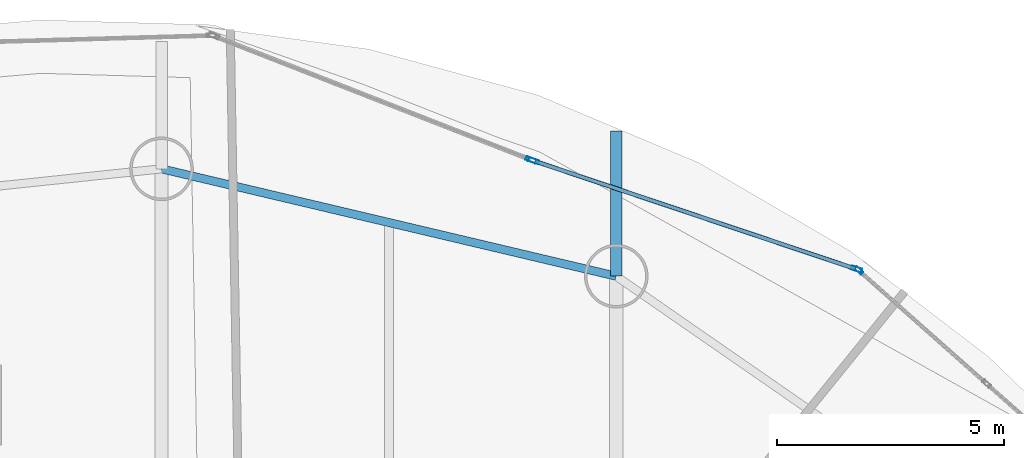
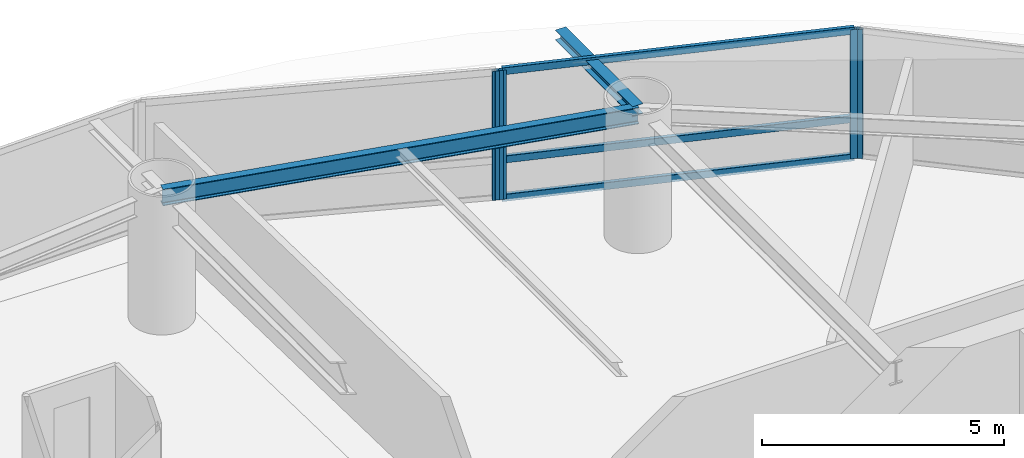
# One storey, part 12 of 20: 7 members, 2 beams, 3 elements without a shape of their own.
"""IFC4 building model written with IfcOpenShell, lengths in metres."""

from ifc_helpers import new_model, si_unit, direction, frame, origin, origin_2d, place, context, subcontext, project, spatial, hollow_rectangle, i_section, extrude, material, layer, layer_set, material_profile, profile_set, type_object, element, aggregate, save


model = new_model("IFC4")

# Units and contexts
model_context = context("Model", 3, precision=1e-05, world=origin(), true_north=direction((0.0, 1.0)))
body_context = subcontext(model_context, "Body", "Model", "MODEL_VIEW")
ifc_project = project(units=[si_unit("LENGTHUNIT", "METRE"), si_unit("AREAUNIT", "SQUARE_METRE"), si_unit("VOLUMEUNIT", "CUBIC_METRE"), si_unit("PLANEANGLEUNIT", "RADIAN"), si_unit("MASSUNIT", "GRAM", prefix="KILO")], contexts=[model_context])

# Site, building, storey
site_placement = place(None, origin())
site = spatial("IfcSite", under=ifc_project, at=site_placement, CompositionType="ELEMENT")
building_placement = place(site_placement, origin())
building = spatial("IfcBuilding", under=site, at=building_placement, Name="Bramvorn Convention Spire", CompositionType="ELEMENT")
storey_placement = place(building_placement, frame((0.0, 0.0, 113.300048828125)))
storey = spatial("IfcBuildingStorey", under=building, at=storey_placement, Name="L27", CompositionType="ELEMENT", Elevation=113.300048828125)

# Beams
ifc_material_1 = material(Name="Steel CSA G40.21 Grade 350 (350W)", Category="steel")
ifc_material_profile_1 = material_profile(ifc_material_1, i_section(OverallWidth=0.25390625, OverallDepth=0.2529296875, WebThickness=0.008544921875, FlangeThickness=0.01416015625, FilletRadius=0.011962890625, at=origin_2d()))
ifc_profile_set_1 = profile_set([ifc_material_profile_1], Name="Steel CSA G40.21 Grade 350 (350W) - W250X73")
beam_type_1 = type_object("IfcBeamType", Name="BM-W250X73", PredefinedType="BEAM", material=ifc_profile_set_1)
beam_1_placement = place(storey_placement, frame((46.082763671875, 44.154052734375, 3.133544921875), z_axis=(0.0, 1.0, 0.0), x_axis=(-1.0, 0.0, 0.0)))
element("IfcBeam", 1, at=beam_1_placement, inside=storey, type_object=beam_type_1, Name="L27 slab-edge cantilever tip beam MC05", PredefinedType="BEAM", context=body_context, shape_type="SweptSolid", body=[
    extrude(i_section(OverallWidth=0.25390625, OverallDepth=0.2529296875, WebThickness=0.008544921875, FlangeThickness=0.01416015625, FilletRadius=0.011962890625, at=origin_2d()), origin(), (0.0, 0.0, 1.0), 3.199951171875),
])
ifc_material_profile_2 = material_profile(ifc_material_1, i_section(OverallWidth=0.180908203125, OverallDepth=0.4169921875, WebThickness=0.010986328125, FlangeThickness=0.018310546875, FilletRadius=0.01611328125, at=origin_2d()))
ifc_profile_set_2 = profile_set([ifc_material_profile_2], Name="Steel CSA G40.21 Grade 350 (350W) - W410X85")
beam_type_2 = type_object("IfcBeamType", Name="BM-W410X85", PredefinedType="JOIST", material=ifc_profile_set_2)
beam_2_placement = place(storey_placement, frame((46.082763671875, 44.154052734375, 3.051513671875), z_axis=(-0.97322750491, 0.229843911572, 0.0), x_axis=(-0.229843911572, -0.97322750491, 0.0)))
element("IfcBeam", 2, at=beam_2_placement, inside=storey, type_object=beam_type_2, Name="L27 mega-column ring beam 05", PredefinedType="JOIST", context=body_context, shape_type="SweptSolid", body=[
    extrude(i_section(OverallWidth=0.180908203125, OverallDepth=0.4169921875, WebThickness=0.010986328125, FlangeThickness=0.018310546875, FilletRadius=0.01611328125, at=origin_2d()), origin(), (0.0, 0.0, 1.0), 10.2822265625),
])

# Curtain wall, member
ifc_material_2 = material(Name="Anodised Bronze Unitised Curtain Wall", Category="aluminium")
ifc_layer_1 = layer(ifc_material_2, 0.179931640625)
ifc_layer_set_1 = layer_set([ifc_layer_1], Name="Anodised Bronze Unitised Curtain Wall - CW-HTL-FRIT")
curtain_wall_type_1 = type_object("IfcCurtainWallType", Name="CW-HTL-FRIT", PredefinedType="USERDEFINED", material=ifc_layer_set_1)
curtain_wall_1_placement = place(storey_placement, origin())
curtain_wall_1 = element("IfcCurtainWall", 3, at=curtain_wall_1_placement, inside=storey, type_object=curtain_wall_type_1, Name="L27 fritted glass curtain wall 05", ObjectType="UNITISED CURTAIN WALL", PredefinedType="USERDEFINED")
ifc_material_3 = material(Name="Anodised Bronze Aluminium 6063-T6", Category="aluminium")
ifc_material_profile_3 = material_profile(ifc_material_3, hollow_rectangle(XDim=0.080078125, YDim=0.199951171875, WallThickness=0.00390625, InnerFilletRadius=0.0009765625, OuterFilletRadius=0.00390625, at=origin_2d()))
ifc_profile_set_3 = profile_set([ifc_material_profile_3], Name="Anodised Bronze Aluminium 6063-T6 - CWM80X200")
member_type_1 = type_object("IfcMemberType", Name="CW-MUL-180", PredefinedType="MULLION", material=ifc_profile_set_3)
member_1_placement = place(storey_placement, frame((51.42236328125, 44.278564453125, 0.0), z_axis=(0.0, 0.0, 1.0), x_axis=(0.663278255362, 0.74837287228, 0.0)))
member_1 = element("IfcMember", 4, at=member_1_placement, type_object=member_type_1, Name="CW2 mullion 1", PredefinedType="MULLION", context=body_context, shape_type="SweptSolid", body=[
    extrude(hollow_rectangle(XDim=0.080078125, YDim=0.199951171875, WallThickness=0.00390625, InnerFilletRadius=0.0009765625, OuterFilletRadius=0.00390625, at=origin_2d()), origin(), (0.0, 0.0, 1.0), 3.260009765625),
])
aggregate(curtain_wall_1, [member_1])

# Curtain wall, members
ifc_layer_2 = layer(ifc_material_2, 0.219970703125)
ifc_layer_set_2 = layer_set([ifc_layer_2], Name="Anodised Bronze Unitised Curtain Wall - CW-SKYGARDEN")
curtain_wall_type_2 = type_object("IfcCurtainWallType", Name="CW-SKYGARDEN", PredefinedType="USERDEFINED", material=ifc_layer_set_2)
curtain_wall_2_placement = place(storey_placement, origin())
curtain_wall_2 = element("IfcCurtainWall", 5, at=curtain_wall_2_placement, inside=storey, type_object=curtain_wall_type_2, Name="L27 Sky Garden glazed facade 06", ObjectType="WINTER GARDEN GLAZING", PredefinedType="USERDEFINED")
ifc_material_profile_4 = material_profile(ifc_material_3, hollow_rectangle(XDim=0.090087890625, YDim=0.239990234375, WallThickness=0.00439453125, InnerFilletRadius=0.0009765625, OuterFilletRadius=0.00439453125, at=origin_2d()))
ifc_profile_set_4 = profile_set([ifc_material_profile_4], Name="Anodised Bronze Aluminium 6063-T6 - CWM90X240")
member_type_2 = type_object("IfcMemberType", Name="CW-MUL-220", PredefinedType="MULLION", material=ifc_profile_set_4)
member_2_placement = place(storey_placement, frame((44.2666015625, 46.693115234375, 0.0), z_axis=(0.0, 0.0, 1.0), x_axis=(0.318232476059, 0.948012706234, 0.0)))
member_2 = element("IfcMember", 6, at=member_2_placement, type_object=member_type_2, Name="CW4 mullion 1", PredefinedType="MULLION", context=body_context, shape_type="SweptSolid", body=[
    extrude(hollow_rectangle(XDim=0.090087890625, YDim=0.239990234375, WallThickness=0.00439453125, InnerFilletRadius=0.0009765625, OuterFilletRadius=0.00439453125, at=origin_2d()), origin(), (0.0, 0.0, 1.0), 3.260009765625),
])
member_3_placement = place(storey_placement, frame((51.371337890625, 44.30810546875, 0.0), z_axis=(0.0, 0.0, 1.0), x_axis=(0.318232476059, 0.948012706234, 0.0)))
member_3 = element("IfcMember", 7, at=member_3_placement, type_object=member_type_2, Name="CW4 mullion 2", PredefinedType="MULLION", context=body_context, shape_type="SweptSolid", body=[
    extrude(hollow_rectangle(XDim=0.090087890625, YDim=0.239990234375, WallThickness=0.00439453125, InnerFilletRadius=0.0009765625, OuterFilletRadius=0.00439453125, at=origin_2d()), origin(), (0.0, 0.0, 1.0), 3.260009765625),
])

# Curtain wall, member
curtain_wall_3_placement = place(storey_placement, origin())
curtain_wall_3 = element("IfcCurtainWall", 8, at=curtain_wall_3_placement, inside=storey, type_object=curtain_wall_type_2, Name="L27 Sky Garden glazed facade 07", ObjectType="WINTER GARDEN GLAZING", PredefinedType="USERDEFINED")
member_4_placement = place(storey_placement, frame((44.210205078125, 46.713623046875, 0.0), z_axis=(0.0, 0.0, 1.0), x_axis=(0.363961601175, 0.931413953551, 0.0)))
member_4 = element("IfcMember", 9, at=member_4_placement, type_object=member_type_2, Name="CW4 mullion 2", PredefinedType="MULLION", context=body_context, shape_type="SweptSolid", body=[
    extrude(hollow_rectangle(XDim=0.090087890625, YDim=0.239990234375, WallThickness=0.00439453125, InnerFilletRadius=0.0009765625, OuterFilletRadius=0.00439453125, at=origin_2d()), origin(), (0.0, 0.0, 1.0), 3.260009765625),
])
aggregate(curtain_wall_3, [member_4])

# Member
ifc_material_profile_5 = material_profile(ifc_material_3, hollow_rectangle(XDim=0.090087890625, YDim=0.179931640625, WallThickness=0.00439453125, InnerFilletRadius=0.0009765625, OuterFilletRadius=0.00439453125, at=origin_2d()))
ifc_profile_set_5 = profile_set([ifc_material_profile_5], Name="Anodised Bronze Aluminium 6063-T6 - CWT90X180")
member_type_3 = type_object("IfcMemberType", Name="CW-TRN-180", PredefinedType="USERDEFINED", material=ifc_profile_set_5)
member_5_placement = place(storey_placement, frame((44.294921875, 46.68359375, 0.030029296875), z_axis=(0.948011266341, -0.318236765461, 0.0), x_axis=(0.318236765461, 0.948011266341, 0.0)))
member_5 = element("IfcMember", 10, at=member_5_placement, type_object=member_type_3, Name="CW4 transom 1.1", ObjectType="TRANSOM", PredefinedType="USERDEFINED", context=body_context, shape_type="SweptSolid", body=[
    extrude(hollow_rectangle(XDim=0.090087890625, YDim=0.179931640625, WallThickness=0.00439453125, InnerFilletRadius=0.0009765625, OuterFilletRadius=0.00439453125, at=origin_2d()), origin(), (0.0, 0.0, 1.0), 7.4345703125),
])

member_6_placement = place(storey_placement, frame((44.294921875, 46.68359375, 1.0), z_axis=(0.948011266341, -0.318236765461, 0.0), x_axis=(0.318236765461, 0.948011266341, 0.0)))
member_6 = element("IfcMember", 11, at=member_6_placement, type_object=member_type_3, Name="CW4 transom 1.2", ObjectType="TRANSOM", PredefinedType="USERDEFINED", context=body_context, shape_type="SweptSolid", body=[
    extrude(hollow_rectangle(XDim=0.090087890625, YDim=0.179931640625, WallThickness=0.00439453125, InnerFilletRadius=0.0009765625, OuterFilletRadius=0.00439453125, at=origin_2d()), origin(), (0.0, 0.0, 1.0), 7.4345703125),
])

member_7_placement = place(storey_placement, frame((44.294921875, 46.68359375, 3.22998046875), z_axis=(0.948011266341, -0.318236765461, 0.0), x_axis=(0.318236765461, 0.948011266341, 0.0)))
member_7 = element("IfcMember", 12, at=member_7_placement, type_object=member_type_3, Name="CW4 transom 1.3", ObjectType="TRANSOM", PredefinedType="USERDEFINED", context=body_context, shape_type="SweptSolid", body=[
    extrude(hollow_rectangle(XDim=0.090087890625, YDim=0.179931640625, WallThickness=0.00439453125, InnerFilletRadius=0.0009765625, OuterFilletRadius=0.00439453125, at=origin_2d()), origin(), (0.0, 0.0, 1.0), 7.4345703125),
])

aggregate(curtain_wall_2, [member_2, member_3, member_5, member_6, member_7])

save(model, "model.ifc")
